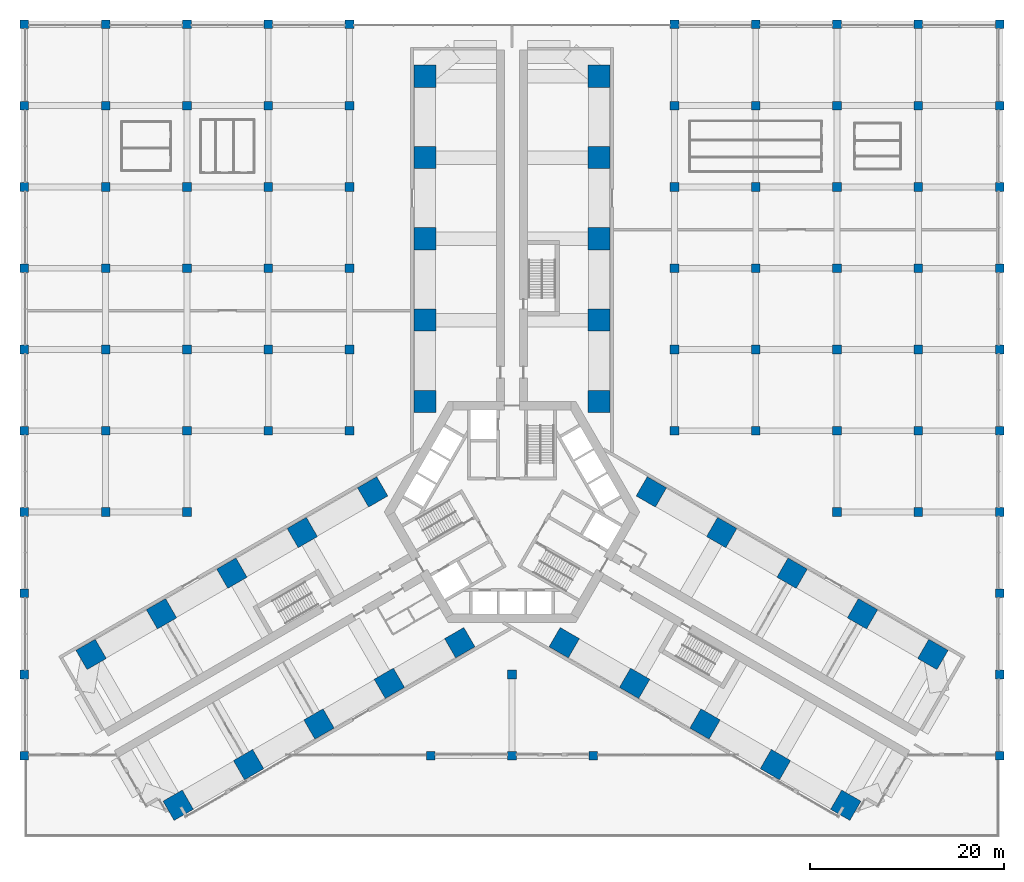
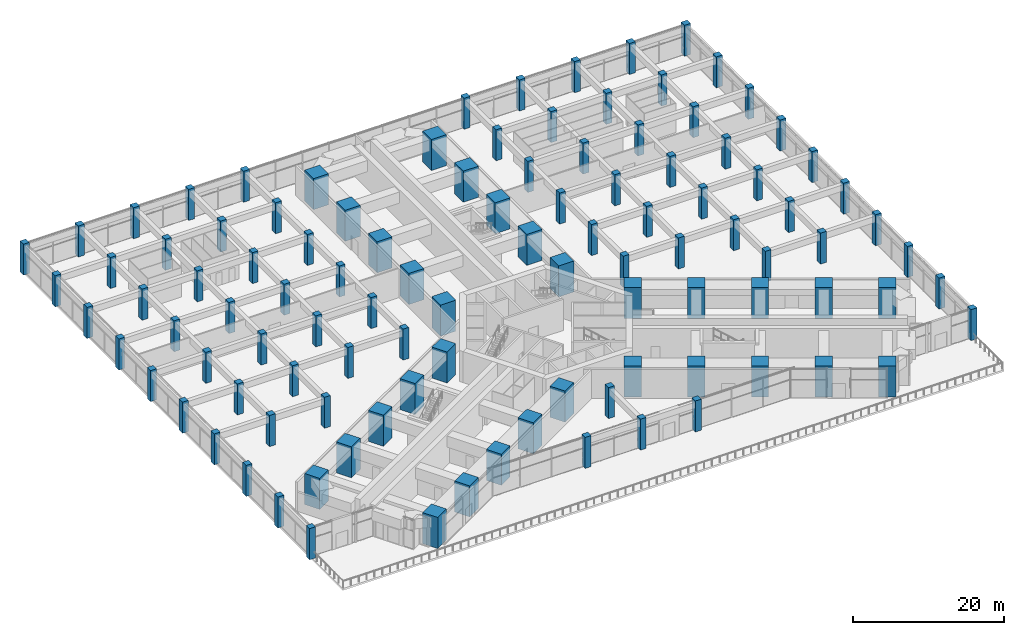
# One storey, part 1 of 34: 106 columns.
"""IFC4 building model written with IfcOpenShell, lengths in metres."""

from ifc_helpers import new_model, si_unit, direction, frame, origin, origin_2d, place, context, subcontext, project, spatial, rectangle, extrude, material, material_profile, profile_set, type_object, element, save


model = new_model("IFC4")

# Units and contexts
model_context = context("Model", 3, precision=1e-05, world=origin(), true_north=direction((0.0, 1.0)))
body_context = subcontext(model_context, "Body", "Model", "MODEL_VIEW")
ifc_project = project(units=[si_unit("LENGTHUNIT", "METRE"), si_unit("AREAUNIT", "SQUARE_METRE"), si_unit("VOLUMEUNIT", "CUBIC_METRE"), si_unit("PLANEANGLEUNIT", "RADIAN"), si_unit("MASSUNIT", "GRAM", prefix="KILO")], contexts=[model_context])

# Site, building, storey
site_placement = place(None, origin())
site = spatial("IfcSite", under=ifc_project, at=site_placement, CompositionType="ELEMENT")
building_placement = place(site_placement, origin())
building = spatial("IfcBuilding", under=site, at=building_placement, Name="Impinga Residences", CompositionType="ELEMENT")
storey_placement = place(building_placement, frame((0.0, 0.0, 11.0)))
storey = spatial("IfcBuildingStorey", under=building, at=storey_placement, Name="L02", CompositionType="ELEMENT", Elevation=11.0)

# Columns
ifc_material = material(Name="Concrete C70/85", Category="concrete")
ifc_material_profile_1 = material_profile(ifc_material, rectangle(XDim=2.300048828125, YDim=2.300048828125, at=origin_2d()), Name="RC 2300x2300")
ifc_profile_set_1 = profile_set([ifc_material_profile_1], Name="Concrete C70/85")
column_type_1 = type_object("IfcColumnType", Name="C1 2300x2300 column", PredefinedType="COLUMN", material=ifc_profile_set_1)
for number, where, z_axis, x_axis, name in (
    (1, (-9.0, 11.431640625, 0.0), (0.0, 0.0, 1.0), (1.0, 0.0, 0.0), "Column C1 N1/NA L02"),
    (2, (9.0, 11.431640625, 0.0), (0.0, 0.0, 1.0), (1.0, 0.0, 0.0), "Column C1 N1/NF L02"),
    (3, (-9.0, 19.83154296875, 0.0), (0.0, 0.0, 1.0), (1.0, 0.0, 0.0), "Column C1 N2/NA L02"),
    (4, (9.0, 19.83154296875, 0.0), (0.0, 0.0, 1.0), (1.0, 0.0, 0.0), "Column C1 N2/NF L02"),
    (5, (-9.0, 28.2314453125, 0.0), (0.0, 0.0, 1.0), (1.0, 0.0, 0.0), "Column C1 N3/NA L02"),
    (6, (9.0, 28.2314453125, 0.0), (0.0, 0.0, 1.0), (1.0, 0.0, 0.0), "Column C1 N3/NF L02"),
    (7, (-9.0, 36.631591796875, 0.0), (0.0, 0.0, 1.0), (1.0, 0.0, 0.0), "Column C1 N4/NA L02"),
    (8, (9.0, 36.631591796875, 0.0), (0.0, 0.0, 1.0), (1.0, 0.0, 0.0), "Column C1 N4/NF L02"),
    (9, (-9.0, 45.031494140625, 0.0), (0.0, 0.0, 1.0), (1.0, 0.0, 0.0), "Column C1 N5/NA L02"),
    (10, (9.0, 45.031494140625, 0.0), (0.0, 0.0, 1.0), (1.0, 0.0, 0.0), "Column C1 N5/NF L02"),
    (11, (-5.39990234375, -13.510009765625, 0.0), (0.0, 0.0, 1.0), (-0.5, 0.866025403784, 0.0), "Column C1 W1/WA L02"),
    (12, (-14.39990234375, 2.078369140625, 0.0), (0.0, 0.0, 1.0), (-0.5, 0.866025403784, 0.0), "Column C1 W1/WF L02"),
    (13, (-12.674560546875, -17.7099609375, 0.0), (0.0, 0.0, 1.0), (-0.5, 0.866025403784, 0.0), "Column C1 W2/WA L02"),
    (14, (-21.674560546875, -2.12158203125, 0.0), (0.0, 0.0, 1.0), (-0.5, 0.866025403784, 0.0), "Column C1 W2/WF L02"),
    (15, (-19.94921875, -21.909912109375, 0.0), (0.0, 0.0, 1.0), (-0.5, 0.866025403784, 0.0), "Column C1 W3/WA L02"),
    (16, (-28.94921875, -6.321533203125, 0.0), (0.0, 0.0, 1.0), (-0.5, 0.866025403784, 0.0), "Column C1 W3/WF L02"),
    (17, (-27.223876953125, -26.110107421875, 0.0), (0.0, 0.0, 1.0), (-0.5, 0.866025403784, 0.0), "Column C1 W4/WA L02"),
    (18, (-36.223876953125, -10.521484375, 0.0), (0.0, 0.0, 1.0), (-0.5, 0.866025403784, 0.0), "Column C1 W4/WF L02"),
    (19, (-34.49853515625, -30.31005859375, 0.0), (0.0, 0.0, 1.0), (-0.5, 0.866025403784, 0.0), "Column C1 W5/WA L02"),
    (20, (-43.49853515625, -14.721435546875, 0.0), (0.0, 0.0, 1.0), (-0.5, 0.866025403784, 0.0), "Column C1 W5/WF L02"),
    (21, (14.39990234375, 2.078369140625, 0.0), (0.0, 0.0, 1.0), (-0.5, -0.866025403784, 0.0), "Column C1 E1/EA L02"),
    (22, (5.39990234375, -13.510009765625, 0.0), (0.0, 0.0, 1.0), (-0.5, -0.866025403784, 0.0), "Column C1 E1/EF L02"),
    (23, (21.674560546875, -2.12158203125, 0.0), (0.0, 0.0, 1.0), (-0.5, -0.866025403784, 0.0), "Column C1 E2/EA L02"),
    (24, (12.674560546875, -17.7099609375, 0.0), (0.0, 0.0, 1.0), (-0.5, -0.866025403784, 0.0), "Column C1 E2/EF L02"),
    (25, (28.94921875, -6.321533203125, 0.0), (0.0, 0.0, 1.0), (-0.5, -0.866025403784, 0.0), "Column C1 E3/EA L02"),
    (26, (19.94921875, -21.909912109375, 0.0), (0.0, 0.0, 1.0), (-0.5, -0.866025403784, 0.0), "Column C1 E3/EF L02"),
    (27, (36.223876953125, -10.521484375, 0.0), (0.0, 0.0, 1.0), (-0.5, -0.866025403784, 0.0), "Column C1 E4/EA L02"),
    (28, (27.223876953125, -26.110107421875, 0.0), (0.0, 0.0, 1.0), (-0.5, -0.866025403784, 0.0), "Column C1 E4/EF L02"),
    (29, (43.49853515625, -14.721435546875, 0.0), (0.0, 0.0, 1.0), (-0.5, -0.866025403784, 0.0), "Column C1 E5/EA L02"),
    (30, (34.49853515625, -30.31005859375, 0.0), (0.0, 0.0, 1.0), (-0.5, -0.866025403784, 0.0), "Column C1 E5/EF L02"),
):
    element("IfcColumn", number, at=place(storey_placement, frame(where, z_axis=z_axis, x_axis=x_axis)), inside=storey, type_object=column_type_1, Name=name, PredefinedType="COLUMN", context=body_context, shape_type="SweptSolid", body=[
        extrude(rectangle(XDim=2.300048828125, YDim=2.300048828125, at=origin_2d()), origin(), (0.0, 0.0, 1.0), 5.0),
    ])
ifc_material_profile_2 = material_profile(ifc_material, rectangle(XDim=0.89990234375, YDim=0.89990234375, at=origin_2d()), Name="RC 900x900")
ifc_profile_set_2 = profile_set([ifc_material_profile_2], Name="Concrete C70/85")
column_type_2 = type_object("IfcColumnType", Name="PC2 900x900 column", PredefinedType="COLUMN", material=ifc_profile_set_2)
for number, where, z_axis, x_axis, name in (
    (31, (-50.39990234375, -25.199951171875, 0.0), (0.0, 0.0, 1.0), (1.0, 0.0, 0.0), "Column PC2 1/C L02"),
    (32, (-50.39990234375, -16.800048828125, 0.0), (0.0, 0.0, 1.0), (1.0, 0.0, 0.0), "Column PC2 1/D L02"),
    (33, (-50.39990234375, -8.39990234375, 0.0), (0.0, 0.0, 1.0), (1.0, 0.0, 0.0), "Column PC2 1/E L02"),
    (34, (-50.39990234375, 0.0, 0.0), (0.0, 0.0, 1.0), (1.0, 0.0, 0.0), "Column PC2 1/F L02"),
    (35, (-50.39990234375, 8.39990234375, 0.0), (0.0, 0.0, 1.0), (1.0, 0.0, 0.0), "Column PC2 1/G L02"),
    (36, (-50.39990234375, 16.800048828125, 0.0), (0.0, 0.0, 1.0), (1.0, 0.0, 0.0), "Column PC2 1/H L02"),
    (37, (-50.39990234375, 25.199951171875, 0.0), (0.0, 0.0, 1.0), (1.0, 0.0, 0.0), "Column PC2 1/J L02"),
    (38, (-50.39990234375, 33.60009765625, 0.0), (0.0, 0.0, 1.0), (1.0, 0.0, 0.0), "Column PC2 1/K L02"),
    (39, (-50.39990234375, 42.0, 0.0), (0.0, 0.0, 1.0), (1.0, 0.0, 0.0), "Column PC2 1/L L02"),
    (40, (-50.39990234375, 50.39990234375, 0.0), (0.0, 0.0, 1.0), (1.0, 0.0, 0.0), "Column PC2 1/M L02"),
    (41, (-42.0, 0.0, 0.0), (0.0, 0.0, 1.0), (1.0, 0.0, 0.0), "Column PC2 2/F L02"),
    (42, (-42.0, 8.39990234375, 0.0), (0.0, 0.0, 1.0), (1.0, 0.0, 0.0), "Column PC2 2/G L02"),
    (43, (-42.0, 16.800048828125, 0.0), (0.0, 0.0, 1.0), (1.0, 0.0, 0.0), "Column PC2 2/H L02"),
    (44, (-42.0, 25.199951171875, 0.0), (0.0, 0.0, 1.0), (1.0, 0.0, 0.0), "Column PC2 2/J L02"),
    (45, (-42.0, 33.60009765625, 0.0), (0.0, 0.0, 1.0), (1.0, 0.0, 0.0), "Column PC2 2/K L02"),
    (46, (-42.0, 42.0, 0.0), (0.0, 0.0, 1.0), (1.0, 0.0, 0.0), "Column PC2 2/L L02"),
    (47, (-42.0, 50.39990234375, 0.0), (0.0, 0.0, 1.0), (1.0, 0.0, 0.0), "Column PC2 2/M L02"),
    (48, (-33.60009765625, 0.0, 0.0), (0.0, 0.0, 1.0), (1.0, 0.0, 0.0), "Column PC2 3/F L02"),
    (49, (-33.60009765625, 8.39990234375, 0.0), (0.0, 0.0, 1.0), (1.0, 0.0, 0.0), "Column PC2 3/G L02"),
    (50, (-33.60009765625, 16.800048828125, 0.0), (0.0, 0.0, 1.0), (1.0, 0.0, 0.0), "Column PC2 3/H L02"),
    (51, (-33.60009765625, 25.199951171875, 0.0), (0.0, 0.0, 1.0), (1.0, 0.0, 0.0), "Column PC2 3/J L02"),
    (52, (-33.60009765625, 33.60009765625, 0.0), (0.0, 0.0, 1.0), (1.0, 0.0, 0.0), "Column PC2 3/K L02"),
    (53, (-33.60009765625, 42.0, 0.0), (0.0, 0.0, 1.0), (1.0, 0.0, 0.0), "Column PC2 3/L L02"),
    (54, (-33.60009765625, 50.39990234375, 0.0), (0.0, 0.0, 1.0), (1.0, 0.0, 0.0), "Column PC2 3/M L02"),
    (55, (-25.199951171875, 8.39990234375, 0.0), (0.0, 0.0, 1.0), (1.0, 0.0, 0.0), "Column PC2 4/G L02"),
    (56, (-25.199951171875, 16.800048828125, 0.0), (0.0, 0.0, 1.0), (1.0, 0.0, 0.0), "Column PC2 4/H L02"),
    (57, (-25.199951171875, 25.199951171875, 0.0), (0.0, 0.0, 1.0), (1.0, 0.0, 0.0), "Column PC2 4/J L02"),
    (58, (-25.199951171875, 33.60009765625, 0.0), (0.0, 0.0, 1.0), (1.0, 0.0, 0.0), "Column PC2 4/K L02"),
    (59, (-25.199951171875, 42.0, 0.0), (0.0, 0.0, 1.0), (1.0, 0.0, 0.0), "Column PC2 4/L L02"),
    (60, (-25.199951171875, 50.39990234375, 0.0), (0.0, 0.0, 1.0), (1.0, 0.0, 0.0), "Column PC2 4/M L02"),
    (61, (-16.800048828125, 8.39990234375, 0.0), (0.0, 0.0, 1.0), (1.0, 0.0, 0.0), "Column PC2 5/G L02"),
    (62, (-16.800048828125, 16.800048828125, 0.0), (0.0, 0.0, 1.0), (1.0, 0.0, 0.0), "Column PC2 5/H L02"),
    (63, (-16.800048828125, 25.199951171875, 0.0), (0.0, 0.0, 1.0), (1.0, 0.0, 0.0), "Column PC2 5/J L02"),
    (64, (-16.800048828125, 33.60009765625, 0.0), (0.0, 0.0, 1.0), (1.0, 0.0, 0.0), "Column PC2 5/K L02"),
    (65, (-16.800048828125, 42.0, 0.0), (0.0, 0.0, 1.0), (1.0, 0.0, 0.0), "Column PC2 5/L L02"),
    (66, (-16.800048828125, 50.39990234375, 0.0), (0.0, 0.0, 1.0), (1.0, 0.0, 0.0), "Column PC2 5/M L02"),
    (67, (-8.39990234375, -25.199951171875, 0.0), (0.0, 0.0, 1.0), (1.0, 0.0, 0.0), "Column PC2 6/C L02"),
    (68, (0.0, -25.199951171875, 0.0), (0.0, 0.0, 1.0), (1.0, 0.0, 0.0), "Column PC2 7/C L02"),
    (69, (0.0, -16.800048828125, 0.0), (0.0, 0.0, 1.0), (1.0, 0.0, 0.0), "Column PC2 7/D L02"),
    (70, (8.39990234375, -25.199951171875, 0.0), (0.0, 0.0, 1.0), (1.0, 0.0, 0.0), "Column PC2 8/C L02"),
    (71, (16.800048828125, 8.39990234375, 0.0), (0.0, 0.0, 1.0), (1.0, 0.0, 0.0), "Column PC2 9/G L02"),
    (72, (16.800048828125, 16.800048828125, 0.0), (0.0, 0.0, 1.0), (1.0, 0.0, 0.0), "Column PC2 9/H L02"),
    (73, (16.800048828125, 25.199951171875, 0.0), (0.0, 0.0, 1.0), (1.0, 0.0, 0.0), "Column PC2 9/J L02"),
    (74, (16.800048828125, 33.60009765625, 0.0), (0.0, 0.0, 1.0), (1.0, 0.0, 0.0), "Column PC2 9/K L02"),
    (75, (16.800048828125, 42.0, 0.0), (0.0, 0.0, 1.0), (1.0, 0.0, 0.0), "Column PC2 9/L L02"),
    (76, (16.800048828125, 50.39990234375, 0.0), (0.0, 0.0, 1.0), (1.0, 0.0, 0.0), "Column PC2 9/M L02"),
    (77, (25.199951171875, 8.39990234375, 0.0), (0.0, 0.0, 1.0), (1.0, 0.0, 0.0), "Column PC2 10/G L02"),
    (78, (25.199951171875, 16.800048828125, 0.0), (0.0, 0.0, 1.0), (1.0, 0.0, 0.0), "Column PC2 10/H L02"),
    (79, (25.199951171875, 25.199951171875, 0.0), (0.0, 0.0, 1.0), (1.0, 0.0, 0.0), "Column PC2 10/J L02"),
    (80, (25.199951171875, 33.60009765625, 0.0), (0.0, 0.0, 1.0), (1.0, 0.0, 0.0), "Column PC2 10/K L02"),
    (81, (25.199951171875, 42.0, 0.0), (0.0, 0.0, 1.0), (1.0, 0.0, 0.0), "Column PC2 10/L L02"),
    (82, (25.199951171875, 50.39990234375, 0.0), (0.0, 0.0, 1.0), (1.0, 0.0, 0.0), "Column PC2 10/M L02"),
    (83, (33.60009765625, 0.0, 0.0), (0.0, 0.0, 1.0), (1.0, 0.0, 0.0), "Column PC2 11/F L02"),
    (84, (33.60009765625, 8.39990234375, 0.0), (0.0, 0.0, 1.0), (1.0, 0.0, 0.0), "Column PC2 11/G L02"),
    (85, (33.60009765625, 16.800048828125, 0.0), (0.0, 0.0, 1.0), (1.0, 0.0, 0.0), "Column PC2 11/H L02"),
    (86, (33.60009765625, 25.199951171875, 0.0), (0.0, 0.0, 1.0), (1.0, 0.0, 0.0), "Column PC2 11/J L02"),
    (87, (33.60009765625, 33.60009765625, 0.0), (0.0, 0.0, 1.0), (1.0, 0.0, 0.0), "Column PC2 11/K L02"),
    (88, (33.60009765625, 42.0, 0.0), (0.0, 0.0, 1.0), (1.0, 0.0, 0.0), "Column PC2 11/L L02"),
    (89, (33.60009765625, 50.39990234375, 0.0), (0.0, 0.0, 1.0), (1.0, 0.0, 0.0), "Column PC2 11/M L02"),
    (90, (42.0, 0.0, 0.0), (0.0, 0.0, 1.0), (1.0, 0.0, 0.0), "Column PC2 12/F L02"),
    (91, (42.0, 8.39990234375, 0.0), (0.0, 0.0, 1.0), (1.0, 0.0, 0.0), "Column PC2 12/G L02"),
    (92, (42.0, 16.800048828125, 0.0), (0.0, 0.0, 1.0), (1.0, 0.0, 0.0), "Column PC2 12/H L02"),
    (93, (42.0, 25.199951171875, 0.0), (0.0, 0.0, 1.0), (1.0, 0.0, 0.0), "Column PC2 12/J L02"),
    (94, (42.0, 33.60009765625, 0.0), (0.0, 0.0, 1.0), (1.0, 0.0, 0.0), "Column PC2 12/K L02"),
    (95, (42.0, 42.0, 0.0), (0.0, 0.0, 1.0), (1.0, 0.0, 0.0), "Column PC2 12/L L02"),
    (96, (42.0, 50.39990234375, 0.0), (0.0, 0.0, 1.0), (1.0, 0.0, 0.0), "Column PC2 12/M L02"),
    (97, (50.39990234375, -25.199951171875, 0.0), (0.0, 0.0, 1.0), (1.0, 0.0, 0.0), "Column PC2 13/C L02"),
    (98, (50.39990234375, -16.800048828125, 0.0), (0.0, 0.0, 1.0), (1.0, 0.0, 0.0), "Column PC2 13/D L02"),
    (99, (50.39990234375, -8.39990234375, 0.0), (0.0, 0.0, 1.0), (1.0, 0.0, 0.0), "Column PC2 13/E L02"),
    (100, (50.39990234375, 0.0, 0.0), (0.0, 0.0, 1.0), (1.0, 0.0, 0.0), "Column PC2 13/F L02"),
    (101, (50.39990234375, 8.39990234375, 0.0), (0.0, 0.0, 1.0), (1.0, 0.0, 0.0), "Column PC2 13/G L02"),
    (102, (50.39990234375, 16.800048828125, 0.0), (0.0, 0.0, 1.0), (1.0, 0.0, 0.0), "Column PC2 13/H L02"),
    (103, (50.39990234375, 25.199951171875, 0.0), (0.0, 0.0, 1.0), (1.0, 0.0, 0.0), "Column PC2 13/J L02"),
    (104, (50.39990234375, 33.60009765625, 0.0), (0.0, 0.0, 1.0), (1.0, 0.0, 0.0), "Column PC2 13/K L02"),
    (105, (50.39990234375, 42.0, 0.0), (0.0, 0.0, 1.0), (1.0, 0.0, 0.0), "Column PC2 13/L L02"),
    (106, (50.39990234375, 50.39990234375, 0.0), (0.0, 0.0, 1.0), (1.0, 0.0, 0.0), "Column PC2 13/M L02"),
):
    element("IfcColumn", number, at=place(storey_placement, frame(where, z_axis=z_axis, x_axis=x_axis)), inside=storey, type_object=column_type_2, Name=name, PredefinedType="COLUMN", context=body_context, shape_type="SweptSolid", body=[
        extrude(rectangle(XDim=0.89990234375, YDim=0.89990234375, at=origin_2d()), origin(), (0.0, 0.0, 1.0), 5.0),
    ])

save(model, "model.ifc")
